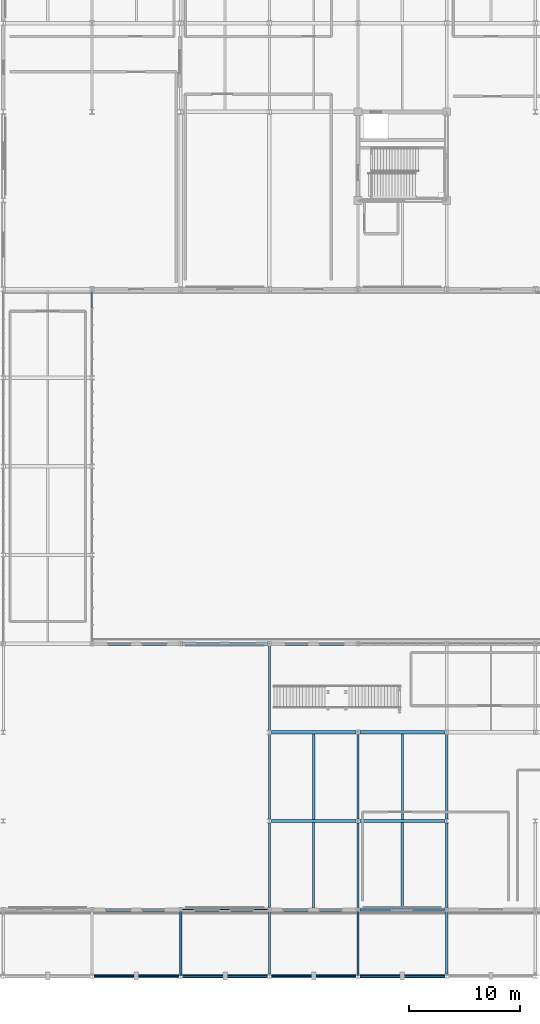
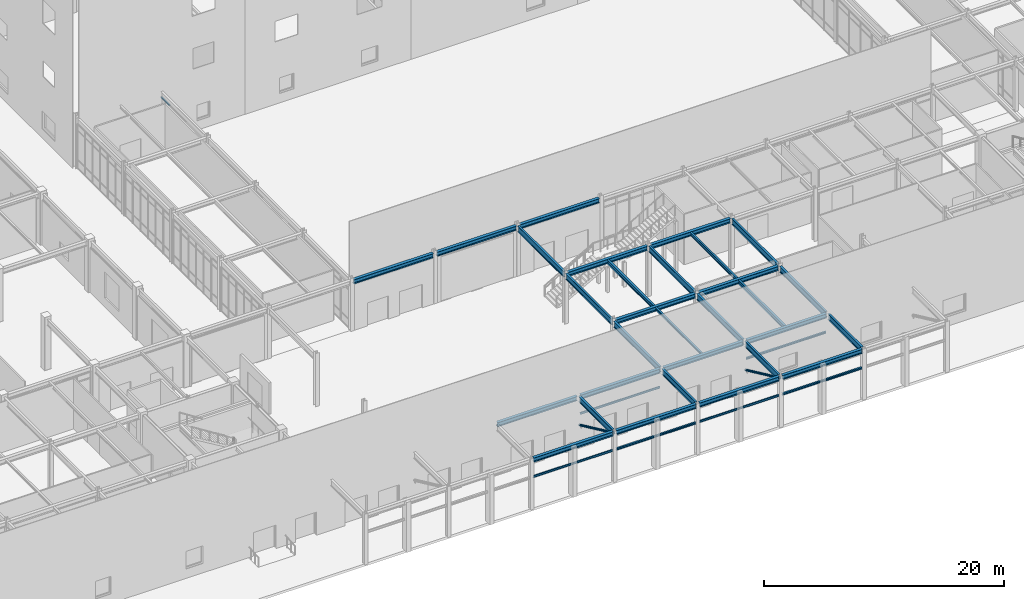
# One storey, part 30 of 119: 36 beams, 3 members, 1 element without a shape of its own.
"""IFC4 building model written with IfcOpenShell, lengths in metres."""

import ifcopenshell
import ifcopenshell.guid

model = None  # the IFC model being written
_history = None  # IfcOwnerHistory: only IFC2X3 demands one
_inside = {}  # id of a spatial element -> (the spatial element, [elements in it])
_under = {}  # id of a project, library or spatial element -> (it, [spatial elements below it])
_declared = {}  # id of a project -> (the project, [libraries it declares])
_typed = {}  # id of a type object -> (the type object, [elements of that type])
_made_of = {}  # id of a material, layer set ... -> (it, [elements and type objects made of it])


def new_model(schema):
    """Start an empty IFC model of exactly this schema.

    Asked for "IFC4X3", IfcOpenShell would pick the latest addendum, in which some entities
    have other attributes; the version numbers below select the first issue.
    IFC2X3 requires an IfcOwnerHistory on every rooted entity: one is made here for all.
    """
    global model, _history
    if schema == "IFC4X3":
        model = ifcopenshell.file(schema_version=(4, 3, 0, 0))
    else:
        model = ifcopenshell.file(schema=schema)
    _inside.clear()
    _under.clear()
    _declared.clear()
    _typed.clear()
    _made_of.clear()
    _history = None
    if model.schema == "IFC2X3":
        org = make("IfcOrganization", Name="unknown")
        user = make(
            "IfcPersonAndOrganization",
            ThePerson=make("IfcPerson", FamilyName="unknown"),
            TheOrganization=org,
        )
        app = make(
            "IfcApplication",
            ApplicationDeveloper=org,
            Version="unknown",
            ApplicationFullName="unknown",
            ApplicationIdentifier="unknown",
        )
        _history = make(
            "IfcOwnerHistory",
            OwningUser=user,
            OwningApplication=app,
            ChangeAction="ADDED",
            CreationDate=0,
        )
    return model


def make(cls, **values):
    """One entity of the class cls with the attributes given. An attribute that is None is left unset."""
    return model.create_entity(
        cls, **{name: value for name, value in values.items() if value is not None}
    )


def rooted(cls, **values):
    """An entity with a GlobalId (a new one), such as an element, a storey or a relation."""
    return make(cls, GlobalId=ifcopenshell.guid.new(), OwnerHistory=_history, **values)


def si_unit(unit_type, name, prefix=None):
    """IfcSIUnit, for example si_unit("LENGTHUNIT", "METRE", prefix="MILLI")."""
    return make("IfcSIUnit", UnitType=unit_type, Prefix=prefix, Name=name)


def assignment(units):
    """IfcUnitAssignment: the units of a project."""
    return None if units is None else make("IfcUnitAssignment", Units=units)


def point(xyz):
    """IfcCartesianPoint."""
    return None if xyz is None else make("IfcCartesianPoint", Coordinates=xyz)


def direction(xyz):
    """IfcDirection."""
    return None if xyz is None else make("IfcDirection", DirectionRatios=xyz)


def frame(location, z_axis=None, x_axis=None):
    """IfcAxis2Placement3D, a coordinate frame: its origin and axes. An axis left out is left unset."""
    return make(
        "IfcAxis2Placement3D",
        Location=point(location),
        Axis=direction(z_axis),
        RefDirection=direction(x_axis),
    )


def frame_2d(location, x_axis=None):
    """IfcAxis2Placement2D, a coordinate frame in the plane: its origin and x axis."""
    return make(
        "IfcAxis2Placement2D", Location=point(location), RefDirection=direction(x_axis)
    )


def origin():
    """The frame at (0, 0, 0) with its axes left unset."""
    return frame((0.0, 0.0, 0.0))


def origin_2d():
    """The frame at (0, 0) in the plane with its x axis left unset."""
    return frame_2d((0.0, 0.0))


def place(relative_to, where):
    """IfcLocalPlacement: puts the frame where relative to a parent placement (None: the world)."""
    return make(
        "IfcLocalPlacement", PlacementRelTo=relative_to, RelativePlacement=where
    )


def context(
    kind, dimensions, precision=None, world=None, true_north=None, identifier=None
):
    """IfcGeometricRepresentationContext, for example the 3D "Model" context."""
    return make(
        "IfcGeometricRepresentationContext",
        ContextIdentifier=identifier,
        ContextType=kind,
        CoordinateSpaceDimension=dimensions,
        Precision=precision,
        WorldCoordinateSystem=world,
        TrueNorth=true_north,
    )


def subcontext(parent, identifier, kind, view, scale=None):
    """IfcGeometricRepresentationSubContext, for example "Body" below "Model"."""
    return make(
        "IfcGeometricRepresentationSubContext",
        ContextIdentifier=identifier,
        ContextType=kind,
        ParentContext=parent,
        TargetScale=scale,
        TargetView=view,
    )


def project(units=None, contexts=None):
    """IfcProject with its units and contexts."""
    return rooted(
        "IfcProject",
        Name="project",
        RepresentationContexts=contexts,
        UnitsInContext=assignment(units),
    )


def spatial(cls, under=None, at=None, **own):
    """A site, building, storey or space (cls), placed at a placement, below another one or the project."""
    s = rooted(cls, ObjectPlacement=at, **own)
    if under is not None:
        _under.setdefault(under.id(), (under, []))[1].append(s)
    return s


def profile(cls, at=None, kind="AREA", **sizes):
    """A parametric profile (cls). Its sizes go by their IFC names, for example OverallWidth=200.0."""
    return make(cls, ProfileType=kind, Position=at, **sizes)


def rectangle(**sizes):
    """IfcRectangleProfileDef."""
    return profile("IfcRectangleProfileDef", **sizes)


def hollow_circle(**sizes):
    """IfcCircleHollowProfileDef."""
    return profile("IfcCircleHollowProfileDef", **sizes)


def i_section(**sizes):
    """IfcIShapeProfileDef."""
    return profile("IfcIShapeProfileDef", **sizes)


def extrude(swept, where, along, depth):
    """IfcExtrudedAreaSolid: the profile swept, set in the frame where, extruded along a direction by depth."""
    return make(
        "IfcExtrudedAreaSolid",
        SweptArea=swept,
        Position=where,
        ExtrudedDirection=direction(along),
        Depth=depth,
    )


def shape(context_of_items, identifier, shape_type, items):
    """IfcShapeRepresentation: the items that make up one representation, for example the "Body"."""
    return make(
        "IfcShapeRepresentation",
        ContextOfItems=context_of_items,
        RepresentationIdentifier=identifier,
        RepresentationType=shape_type,
        Items=items,
    )


def material(Name=None, Category=None):
    """IfcMaterial."""
    return make("IfcMaterial", Name=Name, Category=Category)


def material_profile(
    of_material, cross_section, Name=None, Category=None, Priority=None
):
    """IfcMaterialProfile: a cross section and its material."""
    return make(
        "IfcMaterialProfile",
        Name=Name,
        Material=of_material,
        Profile=cross_section,
        Priority=Priority,
        Category=Category,
    )


def profile_set(profiles, Name=None, composite=None):
    """IfcMaterialProfileSet."""
    return make(
        "IfcMaterialProfileSet",
        Name=Name,
        MaterialProfiles=profiles,
        CompositeProfile=composite,
    )


def made_of(thing, what):
    """Note that an element or type object is made of a material, layer set ...; save() writes the relation."""
    if what is not None:
        _made_of.setdefault(what.id(), (what, []))[1].append(thing)
    return thing


def type_object(cls, material=None, **own):
    """A type object (cls), such as IfcWallType, which elements share."""
    return made_of(rooted(cls, **own), material)


def element(
    cls,
    number,
    at=None,
    inside=None,
    cuts=None,
    type_object=None,
    material=None,
    context=None,
    identifier="Body",
    shape_type=None,
    held_by="IfcProductDefinitionShape",
    body=None,
    shapes=None,
    **own,
):
    """One element of the class cls, such as IfcWall. Its Tag is "e" and its number.

    at: its placement. inside: the storey or other place that contains it. cuts: it is an
    opening in that element (IfcRelVoidsElement). A single representation is given by context,
    identifier, shape_type and body (its items); several are given by shapes. held_by: the class
    of the entity that holds the representations. save() writes the other relations.
    """
    e = rooted(cls, Tag="e%d" % number, ObjectPlacement=at, **own)
    if body is not None:
        shapes = [shape(context, identifier, shape_type, body)]
    if shapes is not None:
        e.Representation = make(held_by, Representations=shapes)
    if inside is not None:
        _inside.setdefault(inside.id(), (inside, []))[1].append(e)
    if cuts is not None:
        rooted(
            "IfcRelVoidsElement", RelatingBuildingElement=cuts, RelatedOpeningElement=e
        )
    if type_object is not None:
        _typed.setdefault(type_object.id(), (type_object, []))[1].append(e)
    return made_of(e, material)


def aggregate(whole, parts):
    """IfcRelAggregates: a whole, such as a stair, and the parts it consists of."""
    return rooted("IfcRelAggregates", RelatingObject=whole, RelatedObjects=parts)


def save(model, path):
    """Write the relations noted so far, then the file.

    IfcRelAggregates (storeys below a building ...), IfcRelContainedInSpatialStructure (elements
    in a storey), IfcRelDefinesByType, IfcRelAssociatesMaterial and IfcRelDeclares: one each for
    every whole, place, type object, material and project.
    """
    for whole, parts in _under.values():
        aggregate(whole, parts)
    for where, things in _inside.values():
        rooted(
            "IfcRelContainedInSpatialStructure",
            RelatedElements=things,
            RelatingStructure=where,
        )
    for kind, things in _typed.values():
        rooted("IfcRelDefinesByType", RelatedObjects=things, RelatingType=kind)
    for what, things in _made_of.values():
        rooted("IfcRelAssociatesMaterial", RelatedObjects=things, RelatingMaterial=what)
    for by, libraries in _declared.values():
        rooted("IfcRelDeclares", RelatingContext=by, RelatedDefinitions=libraries)
    model.write(path)


model = new_model("IFC4")

# Units and contexts
model_context = context("Model", 3, precision=1e-05, world=origin(), true_north=direction((0.0, 1.0)))
body_context = subcontext(model_context, "Body", "Model", "MODEL_VIEW")
ifc_project = project(units=[si_unit("LENGTHUNIT", "METRE"), si_unit("AREAUNIT", "SQUARE_METRE"), si_unit("VOLUMEUNIT", "CUBIC_METRE"), si_unit("PLANEANGLEUNIT", "RADIAN"), si_unit("MASSUNIT", "GRAM", prefix="KILO")], contexts=[model_context])

# Site, building, storey
site_placement = place(None, origin())
site = spatial("IfcSite", under=ifc_project, at=site_placement, CompositionType="ELEMENT")
building_placement = place(site_placement, origin())
building = spatial("IfcBuilding", under=site, at=building_placement, Name="Zhaolan Boulevard Law Courts", CompositionType="ELEMENT")
storey_placement = place(building_placement, origin())
storey = spatial("IfcBuildingStorey", under=building, at=storey_placement, Name="L00", CompositionType="ELEMENT", Elevation=0.0)

# Members
ifc_material_1 = material(Name="Structural steel Q355B", Category="steel")
ifc_material_profile_1 = material_profile(ifc_material_1, hollow_circle(Radius=0.109619140625, WallThickness=0.008056640625, at=origin_2d()), Name="CHS219x8")
ifc_profile_set_1 = profile_set([ifc_material_profile_1], Name="Structural steel Q355B")
member_type_1 = type_object("IfcMemberType", Name="BRACE CHS219", PredefinedType="BRACE", material=ifc_profile_set_1)
for number, where, z_axis, x_axis, name in (
    (1, (68.0, 5.820068359375, 2.199951171875), (0.0, -0.907066548999, 0.420987263094), (1.0, 0.0, 0.0), "Canopy Raking Brace CT-9"),
    (2, (84.0, 5.820068359375, 2.199951171875), (0.0, -0.907066548999, 0.420987263094), (1.0, 0.0, 0.0), "Canopy Raking Brace CT-11"),
):
    element("IfcMember", number, at=place(storey_placement, frame(where, z_axis=z_axis, x_axis=x_axis)), inside=storey, type_object=member_type_1, Name=name, PredefinedType="BRACE", context=body_context, shape_type="SweptSolid", body=[
        extrude(hollow_circle(Radius=0.109619140625, WallThickness=0.008056640625, at=origin_2d()), origin(), (0.0, 0.0, 1.0), 6.361083984375),
    ])

# Curtain wall, member
ifc_material_2 = material(Name="Thermally broken aluminium and low-E glazing", Category="aluminium")
curtain_wall_type = type_object("IfcCurtainWallType", Name="CURTAIN WALL M19", PredefinedType="USERDEFINED", material=ifc_material_2)
curtain_wall_placement = place(storey_placement, origin())
curtain_wall = element("IfcCurtainWall", 3, at=curtain_wall_placement, inside=storey, type_object=curtain_wall_type, Name="Curtain Wall CW-L00-019", ObjectType="CURTAIN WALL", PredefinedType="USERDEFINED")
ifc_material_3 = material(Name="Fluorocarbon-coated aluminium 6063-T6", Category="aluminium")
ifc_material_profile_2 = material_profile(ifc_material_3, rectangle(XDim=0.139892578125, YDim=0.06494140625, at=origin_2d()), Name="AL65x140")
ifc_profile_set_2 = profile_set([ifc_material_profile_2], Name="Fluorocarbon-coated aluminium 6063-T6")
member_type_2 = type_object("IfcMemberType", Name="CWTRANSOM 65X140", PredefinedType="USERDEFINED", material=ifc_profile_set_2)
member_placement = place(storey_placement, frame((60.0, 60.306396484375, 4.50048828125), z_axis=(0.0, 1.0, 0.0), x_axis=(-1.0, 0.0, 0.0)))
member = element("IfcMember", 4, at=member_placement, type_object=member_type_2, Name="CW-L00-019 transom 5.4", ObjectType="TRANSOM", PredefinedType="USERDEFINED", context=body_context, shape_type="SweptSolid", body=[
    extrude(rectangle(XDim=0.139892578125, YDim=0.06494140625, at=origin_2d()), origin(), (0.0, 0.0, 1.0), 1.426513671875),
])
aggregate(curtain_wall, [member])

# Beams
ifc_material_4 = material(Name="Structural steel Q390B", Category="steel")
ifc_material_profile_3 = material_profile(ifc_material_4, i_section(OverallWidth=0.199951171875, OverallDepth=0.60009765625, WebThickness=0.010986328125, FlangeThickness=0.01708984375, FilletRadius=0.02001953125, at=origin_2d()), Name="HN600x200")
ifc_profile_set_3 = profile_set([ifc_material_profile_3], Name="Structural steel Q390B")
beam_type_1 = type_object("IfcBeamType", Name="CANTILEVER HN600", PredefinedType="BEAM", material=ifc_profile_set_3)
for number, where, z_axis, x_axis, name in (
    (5, (68.0, 0.179931640625, 4.8779296875), (0.0, 1.0, 0.0), (-1.0, 0.0, 0.0), "Canopy Girder CB-9"),
    (6, (76.0, 0.179931640625, 4.8779296875), (0.0, 1.0, 0.0), (-1.0, 0.0, 0.0), "Canopy Girder CB-10"),
    (7, (84.0, 0.179931640625, 4.8779296875), (0.0, 1.0, 0.0), (-1.0, 0.0, 0.0), "Canopy Girder CB-11"),
    (8, (92.0, 0.179931640625, 4.8779296875), (0.0, 1.0, 0.0), (-1.0, 0.0, 0.0), "Canopy Girder CB-12"),
):
    element("IfcBeam", number, at=place(storey_placement, frame(where, z_axis=z_axis, x_axis=x_axis)), inside=storey, type_object=beam_type_1, Name=name, PredefinedType="BEAM", context=body_context, shape_type="SweptSolid", body=[
        extrude(i_section(OverallWidth=0.199951171875, OverallDepth=0.60009765625, WebThickness=0.010986328125, FlangeThickness=0.01708984375, FilletRadius=0.02001953125, at=origin_2d()), origin(), (0.0, 0.0, 1.0), 5.64013671875),
    ])
ifc_material_5 = material(Name="Structural steel Q355B", Category="steel")
ifc_material_profile_4 = material_profile(ifc_material_5, i_section(OverallWidth=0.300048828125, OverallDepth=0.43994140625, WebThickness=0.010986328125, FlangeThickness=0.01806640625, FilletRadius=0.02001953125, at=origin_2d()), Name="HM440x300")
ifc_profile_set_4 = profile_set([ifc_material_profile_4], Name="Structural steel Q355B")
beam_type_2 = type_object("IfcBeamType", Name="GIRDER HM440", PredefinedType="BEAM", material=ifc_profile_set_4)
for number, where, z_axis, x_axis, name in (
    (9, (60.1708984375, 0.0, 4.9580078125), (1.0, 0.0, 0.0), (0.0, 1.0, 0.0), "Beam BX-L01-8-9-A"),
    (10, (68.1708984375, 0.0, 4.9580078125), (1.0, 0.0, 0.0), (0.0, 1.0, 0.0), "Beam BX-L01-9-10-A"),
    (11, (76.1708984375, 0.0, 4.9580078125), (1.0, 0.0, 0.0), (0.0, 1.0, 0.0), "Beam BX-L01-10-11-A"),
    (12, (84.1708984375, 0.0, 4.9580078125), (1.0, 0.0, 0.0), (0.0, 1.0, 0.0), "Beam BX-L01-11-12-A"),
    (13, (60.1708984375, 6.0, 4.91796875), (1.0, 0.0, 0.0), (0.0, 1.0, 0.0), "Beam BX-L01-8-9-B"),
    (14, (68.1708984375, 6.0, 4.91796875), (1.0, 0.0, 0.0), (0.0, 1.0, 0.0), "Beam BX-L01-9-10-B"),
    (15, (76.1708984375, 6.0, 4.91796875), (1.0, 0.0, 0.0), (0.0, 1.0, 0.0), "Beam BX-L01-10-11-B"),
    (16, (84.1708984375, 6.0, 4.91796875), (1.0, 0.0, 0.0), (0.0, 1.0, 0.0), "Beam BX-L01-11-12-B"),
    (17, (76.1708984375, 14.0, 4.91796875), (1.0, 0.0, 0.0), (0.0, 1.0, 0.0), "Beam BX-L01-10-11-C"),
    (18, (84.1708984375, 14.0, 4.91796875), (1.0, 0.0, 0.0), (0.0, 1.0, 0.0), "Beam BX-L01-11-12-C"),
    (19, (76.1708984375, 22.0, 4.91796875), (1.0, 0.0, 0.0), (0.0, 1.0, 0.0), "Beam BX-L01-10-11-D"),
    (20, (84.1708984375, 22.0, 4.91796875), (1.0, 0.0, 0.0), (0.0, 1.0, 0.0), "Beam BX-L01-11-12-D"),
    (21, (60.1708984375, 30.0, 4.91796875), (1.0, 0.0, 0.0), (0.0, 1.0, 0.0), "Beam BX-L01-8-9-E"),
    (22, (68.1708984375, 30.0, 4.91796875), (1.0, 0.0, 0.0), (0.0, 1.0, 0.0), "Beam BX-L01-9-10-E"),
    (23, (76.1708984375, 30.0, 4.91796875), (1.0, 0.0, 0.0), (0.0, 1.0, 0.0), "Beam BX-L01-10-11-E"),
):
    element("IfcBeam", number, at=place(storey_placement, frame(where, z_axis=z_axis, x_axis=x_axis)), inside=storey, type_object=beam_type_2, Name=name, PredefinedType="BEAM", context=body_context, shape_type="SweptSolid", body=[
        extrude(i_section(OverallWidth=0.300048828125, OverallDepth=0.43994140625, WebThickness=0.010986328125, FlangeThickness=0.01806640625, FilletRadius=0.02001953125, at=origin_2d()), origin(), (0.0, 0.0, 1.0), 7.658203125),
    ])
ifc_material_6 = material(Name="Structural steel Q355B", Category="steel")
ifc_material_profile_5 = material_profile(ifc_material_6, i_section(OverallWidth=0.199951171875, OverallDepth=0.60009765625, WebThickness=0.010986328125, FlangeThickness=0.01708984375, FilletRadius=0.02001953125, at=origin_2d()), Name="HN600x200")
ifc_profile_set_5 = profile_set([ifc_material_profile_5], Name="Structural steel Q355B")
beam_type_3 = type_object("IfcBeamType", Name="GIRDER HN600", PredefinedType="BEAM", material=ifc_profile_set_5)
for number, where, z_axis, x_axis, name in (
    (24, (76.0, 6.1708984375, 4.837890625), (0.0, 1.0, 0.0), (-1.0, 0.0, 0.0), "Beam BY-L01-10-B-C"),
    (25, (76.0, 14.1708984375, 4.837890625), (0.0, 1.0, 0.0), (-1.0, 0.0, 0.0), "Beam BY-L01-10-C-D"),
    (26, (76.0, 22.1708984375, 4.837890625), (0.0, 1.0, 0.0), (-1.0, 0.0, 0.0), "Beam BY-L01-10-D-E"),
    (27, (84.0, 6.1708984375, 4.837890625), (0.0, 1.0, 0.0), (-1.0, 0.0, 0.0), "Beam BY-L01-11-B-C"),
    (28, (84.0, 14.1708984375, 4.837890625), (0.0, 1.0, 0.0), (-1.0, 0.0, 0.0), "Beam BY-L01-11-C-D"),
    (29, (92.0, 6.1708984375, 4.837890625), (0.0, 1.0, 0.0), (-1.0, 0.0, 0.0), "Beam BY-L01-12-B-C"),
    (30, (92.0, 14.1708984375, 4.837890625), (0.0, 1.0, 0.0), (-1.0, 0.0, 0.0), "Beam BY-L01-12-C-D"),
):
    element("IfcBeam", number, at=place(storey_placement, frame(where, z_axis=z_axis, x_axis=x_axis)), inside=storey, type_object=beam_type_3, Name=name, PredefinedType="BEAM", context=body_context, shape_type="SweptSolid", body=[
        extrude(i_section(OverallWidth=0.199951171875, OverallDepth=0.60009765625, WebThickness=0.010986328125, FlangeThickness=0.01708984375, FilletRadius=0.02001953125, at=origin_2d()), origin(), (0.0, 0.0, 1.0), 7.658203125),
    ])
ifc_material_7 = material(Name="Structural steel Q355B", Category="steel")
ifc_material_profile_6 = material_profile(ifc_material_7, i_section(OverallWidth=0.175048828125, OverallDepth=0.243896484375, WebThickness=0.007080078125, FlangeThickness=0.010986328125, FilletRadius=0.012939453125, at=origin_2d()), Name="HM244x175")
ifc_profile_set_6 = profile_set([ifc_material_profile_6], Name="Structural steel Q355B")
beam_type_4 = type_object("IfcBeamType", Name="JOIST HM244", PredefinedType="JOIST", material=ifc_profile_set_6)
beam_1_placement = place(storey_placement, frame((80.0, 6.14599609375, 5.01611328125), z_axis=(0.0, 1.0, 0.0), x_axis=(-1.0, 0.0, 0.0)))
element("IfcBeam", 31, at=beam_1_placement, inside=storey, type_object=beam_type_4, Name="Composite Joist J-L01-10B", PredefinedType="JOIST", context=body_context, shape_type="SweptSolid", body=[
    extrude(i_section(OverallWidth=0.175048828125, OverallDepth=0.243896484375, WebThickness=0.007080078125, FlangeThickness=0.010986328125, FilletRadius=0.012939453125, at=origin_2d()), origin(), (0.0, 0.0, 1.0), 7.7080078125),
])
ifc_material_8 = material(Name="Structural steel Q355B", Category="steel")
ifc_material_profile_7 = material_profile(ifc_material_8, i_section(OverallWidth=0.175048828125, OverallDepth=0.35009765625, WebThickness=0.007080078125, FlangeThickness=0.010986328125, FilletRadius=0.012939453125, at=origin_2d()), Name="HN350x175")
ifc_profile_set_7 = profile_set([ifc_material_profile_7], Name="Structural steel Q355B")
beam_type_5 = type_object("IfcBeamType", Name="JOIST HN350", PredefinedType="JOIST", material=ifc_profile_set_7)
beam_2_placement = place(storey_placement, frame((88.0, 14.14599609375, 4.962890625), z_axis=(0.0, 1.0, 0.0), x_axis=(-1.0, 0.0, 0.0)))
element("IfcBeam", 32, at=beam_2_placement, inside=storey, type_object=beam_type_5, Name="Composite Joist J-L01-11C", PredefinedType="JOIST", context=body_context, shape_type="SweptSolid", body=[
    extrude(i_section(OverallWidth=0.175048828125, OverallDepth=0.35009765625, WebThickness=0.007080078125, FlangeThickness=0.010986328125, FilletRadius=0.012939453125, at=origin_2d()), origin(), (0.0, 0.0, 1.0), 7.7080078125),
])
ifc_material_9 = material(Name="Structural steel Q355B", Category="steel")
ifc_material_profile_8 = material_profile(ifc_material_9, i_section(OverallWidth=0.199951171875, OverallDepth=0.39990234375, WebThickness=0.008056640625, FlangeThickness=0.012939453125, FilletRadius=0.013916015625, at=origin_2d()), Name="HN400x200")
ifc_profile_set_8 = profile_set([ifc_material_profile_8], Name="Structural steel Q355B")
beam_type_6 = type_object("IfcBeamType", Name="JOIST HN400", PredefinedType="JOIST", material=ifc_profile_set_8)
for number, where, z_axis, x_axis, name in (
    (33, (80.0, 14.14599609375, 4.93798828125), (0.0, 1.0, 0.0), (-1.0, 0.0, 0.0), "Composite Joist J-L01-10C"),
    (34, (88.0, 6.14599609375, 4.93798828125), (0.0, 1.0, 0.0), (-1.0, 0.0, 0.0), "Composite Joist J-L01-11B"),
):
    element("IfcBeam", number, at=place(storey_placement, frame(where, z_axis=z_axis, x_axis=x_axis)), inside=storey, type_object=beam_type_6, Name=name, PredefinedType="JOIST", context=body_context, shape_type="SweptSolid", body=[
        extrude(i_section(OverallWidth=0.199951171875, OverallDepth=0.39990234375, WebThickness=0.008056640625, FlangeThickness=0.012939453125, FilletRadius=0.013916015625, at=origin_2d()), origin(), (0.0, 0.0, 1.0), 7.7080078125),
    ])
ifc_material_10 = material(Name="Structural steel Q355B", Category="steel")
ifc_material_profile_9 = material_profile(ifc_material_10, i_section(OverallWidth=0.14990234375, OverallDepth=0.194091796875, WebThickness=0.006103515625, FlangeThickness=0.009033203125, FilletRadius=0.010986328125, at=origin_2d()), Name="HM194x150")
ifc_profile_set_9 = profile_set([ifc_material_profile_9], Name="Structural steel Q355B")
beam_type_7 = type_object("IfcBeamType", Name="LINTEL HM194", PredefinedType="LINTEL", material=ifc_profile_set_9)
for number, where, z_axis, x_axis, name in (
    (35, (68.159912109375, 0.0, 3.199951171875), (1.0, 0.0, 0.0), (0.0, 1.0, 0.0), "Portal Lintel LN-L00-04"),
    (36, (84.159912109375, 0.0, 3.199951171875), (1.0, 0.0, 0.0), (0.0, 1.0, 0.0), "Portal Lintel LN-L00-06"),
    (37, (84.159912109375, 6.0, 3.199951171875), (1.0, 0.0, 0.0), (0.0, 1.0, 0.0), "Portal Lintel LN-L00-10"),
):
    element("IfcBeam", number, at=place(storey_placement, frame(where, z_axis=z_axis, x_axis=x_axis)), inside=storey, type_object=beam_type_7, Name=name, PredefinedType="LINTEL", context=body_context, shape_type="SweptSolid", body=[
        extrude(i_section(OverallWidth=0.14990234375, OverallDepth=0.194091796875, WebThickness=0.006103515625, FlangeThickness=0.009033203125, FilletRadius=0.010986328125, at=origin_2d()), origin(), (0.0, 0.0, 1.0), 7.68017578125),
    ])
ifc_material_11 = material(Name="Structural steel Q355B", Category="steel")
ifc_material_profile_10 = material_profile(ifc_material_11, i_section(OverallWidth=0.10009765625, OverallDepth=0.199951171875, WebThickness=0.005615234375, FlangeThickness=0.008056640625, FilletRadius=0.009033203125, at=origin_2d()), Name="HN200x100")
ifc_profile_set_10 = profile_set([ifc_material_profile_10], Name="Structural steel Q355B")
beam_type_8 = type_object("IfcBeamType", Name="LINTEL HN200", PredefinedType="LINTEL", material=ifc_profile_set_10)
for number, where, z_axis, x_axis, name in (
    (38, (60.159912109375, 0.0, 3.199951171875), (1.0, 0.0, 0.0), (0.0, 1.0, 0.0), "Portal Lintel LN-L00-03"),
    (39, (76.159912109375, 0.0, 3.199951171875), (1.0, 0.0, 0.0), (0.0, 1.0, 0.0), "Portal Lintel LN-L00-05"),
    (40, (68.159912109375, 6.0, 3.199951171875), (1.0, 0.0, 0.0), (0.0, 1.0, 0.0), "Portal Lintel LN-L00-09"),
):
    element("IfcBeam", number, at=place(storey_placement, frame(where, z_axis=z_axis, x_axis=x_axis)), inside=storey, type_object=beam_type_8, Name=name, PredefinedType="LINTEL", context=body_context, shape_type="SweptSolid", body=[
        extrude(i_section(OverallWidth=0.10009765625, OverallDepth=0.199951171875, WebThickness=0.005615234375, FlangeThickness=0.008056640625, FilletRadius=0.009033203125, at=origin_2d()), origin(), (0.0, 0.0, 1.0), 7.68017578125),
    ])

save(model, "model.ifc")
